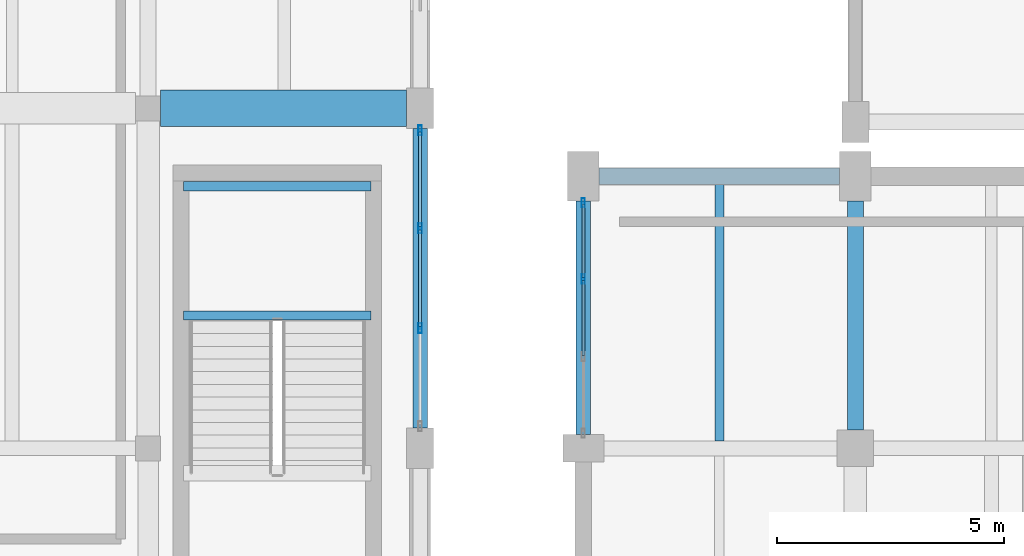
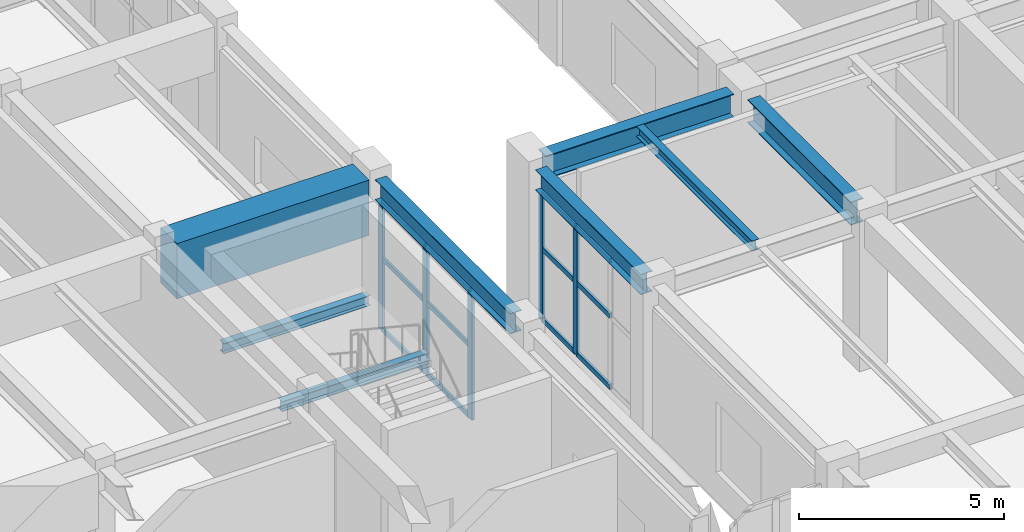
# One storey, part 42 of 96: 17 members, 8 beams, 2 elements without a shape of their own.
"""IFC4 building model written with IfcOpenShell, lengths in metres."""

from ifc_helpers import new_model, si_unit, direction, frame, origin, origin_2d, place, context, subcontext, project, spatial, rectangle, hollow_rectangle, i_section, extrude, material, layer, layer_set, material_profile, profile_set, type_object, element, aggregate, save


model = new_model("IFC4")

# Units and contexts
model_context = context("Model", 3, precision=1e-05, world=origin(), true_north=direction((0.0, 1.0)))
body_context = subcontext(model_context, "Body", "Model", "MODEL_VIEW")
ifc_project = project(units=[si_unit("LENGTHUNIT", "METRE"), si_unit("AREAUNIT", "SQUARE_METRE"), si_unit("VOLUMEUNIT", "CUBIC_METRE"), si_unit("PLANEANGLEUNIT", "RADIAN"), si_unit("MASSUNIT", "GRAM", prefix="KILO")], contexts=[model_context])

# Site, building, storey
site_placement = place(None, origin())
site = spatial("IfcSite", under=ifc_project, at=site_placement, CompositionType="ELEMENT")
building_placement = place(site_placement, origin())
building = spatial("IfcBuilding", under=site, at=building_placement, Name="Vaelkrest Opera House", CompositionType="ELEMENT")
storey_placement = place(building_placement, frame((0.0, 0.0, 5.39990234375)))
storey = spatial("IfcBuildingStorey", under=building, at=storey_placement, Name="L01", CompositionType="ELEMENT", Elevation=5.39990234375)

# Beams
ifc_material_1 = material(Name="Concrete C50/60", Category="concrete")
ifc_material_profile_1 = material_profile(ifc_material_1, rectangle(XDim=0.800048828125, YDim=1.64990234375, at=origin_2d()), Name="RCB800X1650")
ifc_profile_set_1 = profile_set([ifc_material_profile_1], Name="Concrete C50/60")
beam_type_1 = type_object("IfcBeamType", Name="B07", PredefinedType="BEAM", material=ifc_profile_set_1)
beam_1_placement = place(storey_placement, frame((-39.324951171875, 17.699951171875, 3.675048828125), z_axis=(1.0, 0.0, 0.0), x_axis=(0.0, 1.0, 0.0)))
element("IfcBeam", 1, at=beam_1_placement, inside=storey, type_object=beam_type_1, Name="Beam BM-V3-L01-1536", PredefinedType="BEAM", context=body_context, shape_type="SweptSolid", body=[
    extrude(rectangle(XDim=0.800048828125, YDim=1.64990234375, at=origin_2d()), origin(), (0.0, 0.0, 1.0), 5.425048828125),
])
ifc_material_2 = material(Name="Steel A992 Gr50", Category="steel")
ifc_material_profile_2 = material_profile(ifc_material_2, i_section(OverallWidth=0.35498046875, OverallDepth=0.695068359375, WebThickness=0.015380859375, FlangeThickness=0.02490234375, at=origin_2d()), Name="W27X146")
ifc_profile_set_2 = profile_set([ifc_material_profile_2], Name="Steel A992 Gr50")
beam_type_2 = type_object("IfcBeamType", Name="B10", PredefinedType="BEAM", material=ifc_profile_set_2)
beam_2_placement = place(storey_placement, frame((-24.0, 10.60009765625, 4.152587890625), z_axis=(0.0, 1.0, 0.0), x_axis=(-1.0, 0.0, 0.0)))
element("IfcBeam", 2, at=beam_2_placement, inside=storey, type_object=beam_type_2, Name="Beam BM-V1-L01-0269", PredefinedType="BEAM", context=body_context, shape_type="SweptSolid", body=[
    extrude(i_section(OverallWidth=0.35498046875, OverallDepth=0.695068359375, WebThickness=0.015380859375, FlangeThickness=0.02490234375, at=origin_2d()), origin(), (0.0, 0.0, 1.0), 5.0498046875),
])

# Curtain wall, members
ifc_material_3 = material(Name="Dark bronze anodized aluminium", Category="aluminium")
ifc_layer_1 = layer(ifc_material_3, 0.18994140625)
ifc_layer_set_1 = layer_set([ifc_layer_1], Name="Dark bronze anodized aluminium")
curtain_wall_type_1 = type_object("IfcCurtainWallType", Name="CW02", PredefinedType="NOTDEFINED", material=ifc_layer_set_1)
curtain_wall_1_placement = place(storey_placement, origin())
curtain_wall_1 = element("IfcCurtainWall", 3, at=curtain_wall_1_placement, inside=storey, type_object=curtain_wall_type_1, Name="Curtain wall CW-L01-027", PredefinedType="NOTDEFINED")
ifc_material_profile_3 = material_profile(ifc_material_3, hollow_rectangle(XDim=0.070068359375, YDim=0.199951171875, WallThickness=0.004150390625, at=origin_2d()), Name="CWM70X200")
ifc_profile_set_3 = profile_set([ifc_material_profile_3], Name="Dark bronze anodized aluminium")
member_type_1 = type_object("IfcMemberType", Name="CWM02", PredefinedType="MULLION", material=ifc_profile_set_3)
member_1_placement = place(storey_placement, frame((-30.0, 13.93408203125, 0.0), z_axis=(0.0, 0.0, 1.0), x_axis=(-1.0, 0.0, 0.0)))
member_1 = element("IfcMember", 4, at=member_1_placement, type_object=member_type_1, Name="CW02 mullion 3", PredefinedType="MULLION", context=body_context, shape_type="SweptSolid", body=[
    extrude(hollow_rectangle(XDim=0.070068359375, YDim=0.199951171875, WallThickness=0.004150390625, at=origin_2d()), origin(), (0.0, 0.0, 1.0), 3.82421875),
])
member_2_placement = place(storey_placement, frame((-30.0, 15.616943359375, 0.0), z_axis=(0.0, 0.0, 1.0), x_axis=(-1.0, 0.0, 0.0)))
member_2 = element("IfcMember", 5, at=member_2_placement, type_object=member_type_1, Name="CW02 mullion 4", PredefinedType="MULLION", context=body_context, shape_type="SweptSolid", body=[
    extrude(hollow_rectangle(XDim=0.070068359375, YDim=0.199951171875, WallThickness=0.004150390625, at=origin_2d()), origin(), (0.0, 0.0, 1.0), 3.82421875),
])

ifc_layer_2 = layer(ifc_material_3, 0.239990234375)
ifc_layer_set_2 = layer_set([ifc_layer_2], Name="Dark bronze anodized aluminium")
curtain_wall_type_2 = type_object("IfcCurtainWallType", Name="CW07", PredefinedType="NOTDEFINED", material=ifc_layer_set_2)
curtain_wall_2_placement = place(storey_placement, origin())
curtain_wall_2 = element("IfcCurtainWall", 6, at=curtain_wall_2_placement, inside=storey, type_object=curtain_wall_type_2, Name="Curtain wall CW-L01-111", PredefinedType="NOTDEFINED")
ifc_material_profile_4 = material_profile(ifc_material_3, hollow_rectangle(XDim=0.074951171875, YDim=0.219970703125, WallThickness=0.00439453125, at=origin_2d()), Name="CWM75X220")
ifc_profile_set_4 = profile_set([ifc_material_profile_4], Name="Dark bronze anodized aluminium")
member_type_2 = type_object("IfcMemberType", Name="CWM03", PredefinedType="MULLION", material=ifc_profile_set_4)
member_3_placement = place(storey_placement, frame((-33.60009765625, 17.214599609375, 0.0), z_axis=(0.0, 0.0, 1.0), x_axis=(1.0, 0.0, 0.0)))
member_3 = element("IfcMember", 7, at=member_3_placement, type_object=member_type_2, Name="CW07 mullion 1", PredefinedType="MULLION", context=body_context, shape_type="SweptSolid", body=[
    extrude(hollow_rectangle(XDim=0.074951171875, YDim=0.219970703125, WallThickness=0.00439453125, at=origin_2d()), origin(), (0.0, 0.0, 1.0), 3.82421875),
])
member_4_placement = place(storey_placement, frame((-33.60009765625, 15.05078125, 0.0), z_axis=(0.0, 0.0, 1.0), x_axis=(1.0, 0.0, 0.0)))
member_4 = element("IfcMember", 8, at=member_4_placement, type_object=member_type_2, Name="CW07 mullion 2", PredefinedType="MULLION", context=body_context, shape_type="SweptSolid", body=[
    extrude(hollow_rectangle(XDim=0.074951171875, YDim=0.219970703125, WallThickness=0.00439453125, at=origin_2d()), origin(), (0.0, 0.0, 1.0), 3.82421875),
])
member_5_placement = place(storey_placement, frame((-33.60009765625, 12.849365234375, 0.0), z_axis=(0.0, 0.0, 1.0), x_axis=(1.0, 0.0, 0.0)))
member_5 = element("IfcMember", 9, at=member_5_placement, type_object=member_type_2, Name="CW07 mullion 3", PredefinedType="MULLION", context=body_context, shape_type="SweptSolid", body=[
    extrude(hollow_rectangle(XDim=0.074951171875, YDim=0.219970703125, WallThickness=0.00439453125, at=origin_2d()), origin(), (0.0, 0.0, 1.0), 3.82421875),
])
ifc_material_profile_5 = material_profile(ifc_material_3, hollow_rectangle(XDim=0.06494140625, YDim=0.139892578125, WallThickness=0.00390625, at=origin_2d()), Name="CWT65X140")
ifc_profile_set_5 = profile_set([ifc_material_profile_5], Name="Dark bronze anodized aluminium")
member_type_3 = type_object("IfcMemberType", Name="CWT01", PredefinedType="USERDEFINED", material=ifc_profile_set_5)
member_6_placement = place(storey_placement, frame((-33.60009765625, 17.177001953125, 0.03271484375), z_axis=(0.0, -1.0, 0.0), x_axis=(1.0, 0.0, 0.0)))
member_6 = element("IfcMember", 10, at=member_6_placement, type_object=member_type_3, Name="CW07 transom 1.1", ObjectType="TRANSOM", PredefinedType="USERDEFINED", context=body_context, shape_type="SweptSolid", body=[
    extrude(hollow_rectangle(XDim=0.06494140625, YDim=0.139892578125, WallThickness=0.00390625, at=origin_2d()), origin(), (0.0, 0.0, 1.0), 2.0888671875),
])
member_7_placement = place(storey_placement, frame((-33.60009765625, 17.177001953125, 2.150146484375), z_axis=(0.0, -1.0, 0.0), x_axis=(1.0, 0.0, 0.0)))
member_7 = element("IfcMember", 11, at=member_7_placement, type_object=member_type_3, Name="CW07 transom 1.2", ObjectType="TRANSOM", PredefinedType="USERDEFINED", context=body_context, shape_type="SweptSolid", body=[
    extrude(hollow_rectangle(XDim=0.06494140625, YDim=0.139892578125, WallThickness=0.00390625, at=origin_2d()), origin(), (0.0, 0.0, 1.0), 2.0888671875),
])
member_8_placement = place(storey_placement, frame((-33.60009765625, 17.177001953125, 3.79150390625), z_axis=(0.0, -1.0, 0.0), x_axis=(1.0, 0.0, 0.0)))
member_8 = element("IfcMember", 12, at=member_8_placement, type_object=member_type_3, Name="CW07 transom 1.3", ObjectType="TRANSOM", PredefinedType="USERDEFINED", context=body_context, shape_type="SweptSolid", body=[
    extrude(hollow_rectangle(XDim=0.06494140625, YDim=0.139892578125, WallThickness=0.00390625, at=origin_2d()), origin(), (0.0, 0.0, 1.0), 2.0888671875),
])
member_9_placement = place(storey_placement, frame((-33.60009765625, 15.01318359375, 0.03271484375), z_axis=(0.0, -1.0, 0.0), x_axis=(1.0, 0.0, 0.0)))
member_9 = element("IfcMember", 13, at=member_9_placement, type_object=member_type_3, Name="CW07 transom 2.1", ObjectType="TRANSOM", PredefinedType="USERDEFINED", context=body_context, shape_type="SweptSolid", body=[
    extrude(hollow_rectangle(XDim=0.06494140625, YDim=0.139892578125, WallThickness=0.00390625, at=origin_2d()), origin(), (0.0, 0.0, 1.0), 2.12646484375),
])
member_10_placement = place(storey_placement, frame((-33.60009765625, 15.01318359375, 2.150146484375), z_axis=(0.0, -1.0, 0.0), x_axis=(1.0, 0.0, 0.0)))
member_10 = element("IfcMember", 14, at=member_10_placement, type_object=member_type_3, Name="CW07 transom 2.2", ObjectType="TRANSOM", PredefinedType="USERDEFINED", context=body_context, shape_type="SweptSolid", body=[
    extrude(hollow_rectangle(XDim=0.06494140625, YDim=0.139892578125, WallThickness=0.00390625, at=origin_2d()), origin(), (0.0, 0.0, 1.0), 2.12646484375),
])
member_11_placement = place(storey_placement, frame((-33.60009765625, 15.01318359375, 3.79150390625), z_axis=(0.0, -1.0, 0.0), x_axis=(1.0, 0.0, 0.0)))
member_11 = element("IfcMember", 15, at=member_11_placement, type_object=member_type_3, Name="CW07 transom 2.3", ObjectType="TRANSOM", PredefinedType="USERDEFINED", context=body_context, shape_type="SweptSolid", body=[
    extrude(hollow_rectangle(XDim=0.06494140625, YDim=0.139892578125, WallThickness=0.00390625, at=origin_2d()), origin(), (0.0, 0.0, 1.0), 2.12646484375),
])
aggregate(curtain_wall_2, [member_3, member_4, member_5, member_6, member_7, member_8, member_9, member_10, member_11])

# Member
ifc_material_profile_6 = material_profile(ifc_material_3, hollow_rectangle(XDim=0.070068359375, YDim=0.14990234375, WallThickness=0.004150390625, at=origin_2d()), Name="CWT70X150")
ifc_profile_set_6 = profile_set([ifc_material_profile_6], Name="Dark bronze anodized aluminium")
member_type_4 = type_object("IfcMemberType", Name="CWT02", PredefinedType="USERDEFINED", material=ifc_profile_set_6)
member_12_placement = place(storey_placement, frame((-30.0, 12.2509765625, 0.03515625), z_axis=(0.0, 1.0, 0.0), x_axis=(-1.0, 0.0, 0.0)))
member_12 = element("IfcMember", 16, at=member_12_placement, type_object=member_type_4, Name="CW02 transom 2.1", ObjectType="TRANSOM", PredefinedType="USERDEFINED", context=body_context, shape_type="SweptSolid", body=[
    extrude(hollow_rectangle(XDim=0.070068359375, YDim=0.14990234375, WallThickness=0.004150390625, at=origin_2d()), origin(), (0.0, 0.0, 1.0), 1.64794921875),
])

member_13_placement = place(storey_placement, frame((-30.0, 12.2509765625, 2.150146484375), z_axis=(0.0, 1.0, 0.0), x_axis=(-1.0, 0.0, 0.0)))
member_13 = element("IfcMember", 17, at=member_13_placement, type_object=member_type_4, Name="CW02 transom 2.2", ObjectType="TRANSOM", PredefinedType="USERDEFINED", context=body_context, shape_type="SweptSolid", body=[
    extrude(hollow_rectangle(XDim=0.070068359375, YDim=0.14990234375, WallThickness=0.004150390625, at=origin_2d()), origin(), (0.0, 0.0, 1.0), 1.64794921875),
])

member_14_placement = place(storey_placement, frame((-30.0, 12.2509765625, 3.7890625), z_axis=(0.0, 1.0, 0.0), x_axis=(-1.0, 0.0, 0.0)))
member_14 = element("IfcMember", 18, at=member_14_placement, type_object=member_type_4, Name="CW02 transom 2.3", ObjectType="TRANSOM", PredefinedType="USERDEFINED", context=body_context, shape_type="SweptSolid", body=[
    extrude(hollow_rectangle(XDim=0.070068359375, YDim=0.14990234375, WallThickness=0.004150390625, at=origin_2d()), origin(), (0.0, 0.0, 1.0), 1.64794921875),
])

member_15_placement = place(storey_placement, frame((-30.0, 13.968994140625, 0.03515625), z_axis=(0.0, 1.0, 0.0), x_axis=(-1.0, 0.0, 0.0)))
member_15 = element("IfcMember", 19, at=member_15_placement, type_object=member_type_4, Name="CW02 transom 3.1", ObjectType="TRANSOM", PredefinedType="USERDEFINED", context=body_context, shape_type="SweptSolid", body=[
    extrude(hollow_rectangle(XDim=0.070068359375, YDim=0.14990234375, WallThickness=0.004150390625, at=origin_2d()), origin(), (0.0, 0.0, 1.0), 1.613037109375),
])

member_16_placement = place(storey_placement, frame((-30.0, 13.968994140625, 2.150146484375), z_axis=(0.0, 1.0, 0.0), x_axis=(-1.0, 0.0, 0.0)))
member_16 = element("IfcMember", 20, at=member_16_placement, type_object=member_type_4, Name="CW02 transom 3.2", ObjectType="TRANSOM", PredefinedType="USERDEFINED", context=body_context, shape_type="SweptSolid", body=[
    extrude(hollow_rectangle(XDim=0.070068359375, YDim=0.14990234375, WallThickness=0.004150390625, at=origin_2d()), origin(), (0.0, 0.0, 1.0), 1.613037109375),
])

member_17_placement = place(storey_placement, frame((-30.0, 13.968994140625, 3.7890625), z_axis=(0.0, 1.0, 0.0), x_axis=(-1.0, 0.0, 0.0)))
member_17 = element("IfcMember", 21, at=member_17_placement, type_object=member_type_4, Name="CW02 transom 3.3", ObjectType="TRANSOM", PredefinedType="USERDEFINED", context=body_context, shape_type="SweptSolid", body=[
    extrude(hollow_rectangle(XDim=0.070068359375, YDim=0.14990234375, WallThickness=0.004150390625, at=origin_2d()), origin(), (0.0, 0.0, 1.0), 1.613037109375),
])

aggregate(curtain_wall_1, [member_1, member_2, member_12, member_13, member_14, member_15, member_16, member_17])

# Beams
ifc_material_profile_7 = material_profile(ifc_material_2, i_section(OverallWidth=0.202880859375, OverallDepth=0.302978515625, WebThickness=0.007568359375, FlangeThickness=0.01318359375, at=origin_2d()), Name="W12X40")
ifc_profile_set_7 = profile_set([ifc_material_profile_7], Name="Steel A992 Gr50")
beam_type_3 = type_object("IfcBeamType", Name="J02", PredefinedType="JOIST", material=ifc_profile_set_7)
beam_3_placement = place(storey_placement, frame((-27.0, 10.364013671875, 4.3486328125), z_axis=(0.0, 1.0, 0.0), x_axis=(-1.0, 0.0, 0.0)))
element("IfcBeam", 22, at=beam_3_placement, inside=storey, type_object=beam_type_3, Name="Floor joist JST-V1-L01-0302", PredefinedType="JOIST", context=body_context, shape_type="SweptSolid", body=[
    extrude(i_section(OverallWidth=0.202880859375, OverallDepth=0.302978515625, WebThickness=0.007568359375, FlangeThickness=0.01318359375, at=origin_2d()), origin(), (0.0, 0.0, 1.0), 5.658447265625),
])
for number, where, z_axis, x_axis, name in (
    (23, (-38.820068359375, 13.1298828125, 2.048583984375), (1.0, 0.0, 0.0), (0.0, 1.0, 0.0), "Stair landing bearer beam ST08 L01-1N"),
    (24, (-38.820068359375, 15.97998046875, 2.048583984375), (1.0, 0.0, 0.0), (0.0, 1.0, 0.0), "Stair landing bearer beam ST08 L01-1F"),
):
    element("IfcBeam", number, at=place(storey_placement, frame(where, z_axis=z_axis, x_axis=x_axis)), inside=storey, type_object=beam_type_3, Name=name, PredefinedType="JOIST", context=body_context, shape_type="SweptSolid", body=[
        extrude(i_section(OverallWidth=0.202880859375, OverallDepth=0.302978515625, WebThickness=0.007568359375, FlangeThickness=0.01318359375, at=origin_2d()), origin(), (0.0, 0.0, 1.0), 4.14013671875),
    ])
ifc_material_profile_8 = material_profile(ifc_material_2, i_section(OverallWidth=0.323974609375, OverallDepth=0.611083984375, WebThickness=0.0126953125, FlangeThickness=0.01904296875, at=origin_2d()), Name="W24X104")
ifc_profile_set_8 = profile_set([ifc_material_profile_8], Name="Steel A992 Gr50")
beam_type_4 = type_object("IfcBeamType", Name="SP01", PredefinedType="SPANDREL", material=ifc_profile_set_8)
beam_4_placement = place(storey_placement, frame((-30.0, 10.5, 4.194580078125), z_axis=(0.0, 1.0, 0.0), x_axis=(-1.0, 0.0, 0.0)))
element("IfcBeam", 25, at=beam_4_placement, inside=storey, type_object=beam_type_4, Name="Beam BM-V1-L01-0264", PredefinedType="SPANDREL", context=body_context, shape_type="SweptSolid", body=[
    extrude(i_section(OverallWidth=0.323974609375, OverallDepth=0.611083984375, WebThickness=0.0126953125, FlangeThickness=0.01904296875, at=origin_2d()), origin(), (0.0, 0.0, 1.0), 5.14990234375),
])
beam_5_placement = place(storey_placement, frame((-33.60009765625, 10.64990234375, 4.194580078125), z_axis=(0.0, 1.0, 0.0), x_axis=(-1.0, 0.0, 0.0)))
element("IfcBeam", 26, at=beam_5_placement, inside=storey, type_object=beam_type_4, Name="Beam BM-V3-L01-1590", PredefinedType="SPANDREL", context=body_context, shape_type="SweptSolid", body=[
    extrude(i_section(OverallWidth=0.323974609375, OverallDepth=0.611083984375, WebThickness=0.0126953125, FlangeThickness=0.01904296875, at=origin_2d()), origin(), (0.0, 0.0, 1.0), 6.60009765625),
])
ifc_material_profile_9 = material_profile(ifc_material_2, i_section(OverallWidth=0.35498046875, OverallDepth=0.695068359375, WebThickness=0.015380859375, FlangeThickness=0.02490234375, at=origin_2d()), Name="W27X146")
ifc_profile_set_9 = profile_set([ifc_material_profile_9], Name="Steel A992 Gr50")
beam_type_5 = type_object("IfcBeamType", Name="SP02", PredefinedType="SPANDREL", material=ifc_profile_set_9)
beam_6_placement = place(storey_placement, frame((-29.64990234375, 16.199951171875, 4.152587890625), z_axis=(1.0, 0.0, 0.0), x_axis=(0.0, 1.0, 0.0)))
element("IfcBeam", 27, at=beam_6_placement, inside=storey, type_object=beam_type_5, Name="Beam BM-V1-L01-0247", PredefinedType="SPANDREL", context=body_context, shape_type="SweptSolid", body=[
    extrude(i_section(OverallWidth=0.35498046875, OverallDepth=0.695068359375, WebThickness=0.015380859375, FlangeThickness=0.02490234375, at=origin_2d()), origin(), (0.0, 0.0, 1.0), 5.2998046875),
])

save(model, "model.ifc")
